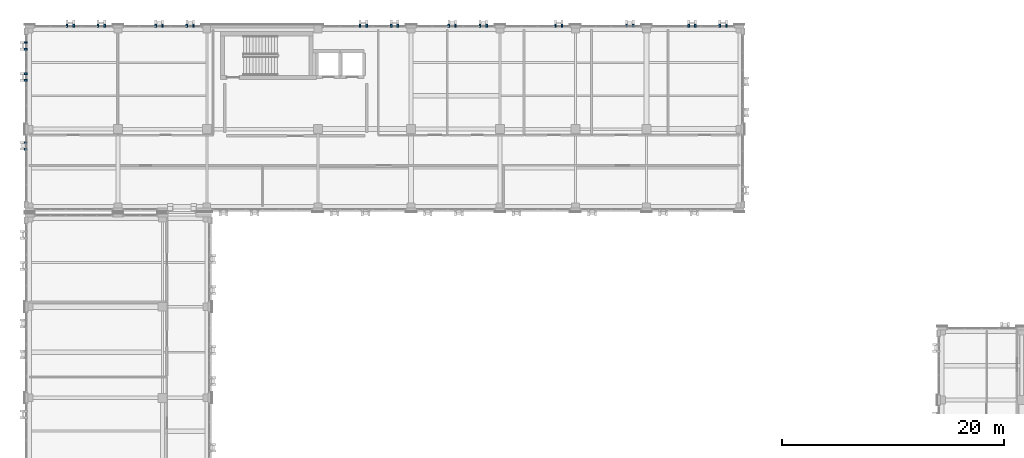
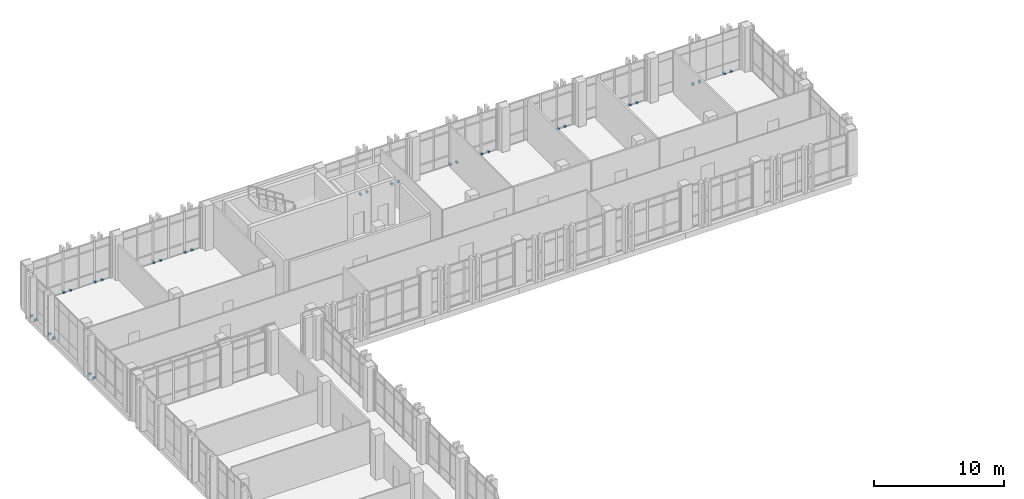
# One storey, part 145 of 165: 30 discrete accessories.
"""IFC4 building model written with IfcOpenShell, lengths in metres."""

from ifc_helpers import new_model, si_unit, direction, frame, origin, origin_2d, place, context, subcontext, project, spatial, rectangle, extrude, material, type_object, element, save


model = new_model("IFC4")

# Units and contexts
model_context = context("Model", 3, precision=1e-05, world=origin(), true_north=direction((0.0, 1.0)))
body_context = subcontext(model_context, "Body", "Model", "MODEL_VIEW")
ifc_project = project(units=[si_unit("LENGTHUNIT", "METRE"), si_unit("AREAUNIT", "SQUARE_METRE"), si_unit("VOLUMEUNIT", "CUBIC_METRE"), si_unit("PLANEANGLEUNIT", "RADIAN"), si_unit("MASSUNIT", "GRAM", prefix="KILO")], contexts=[model_context])

# Site, building, storey
site_placement = place(None, origin())
site = spatial("IfcSite", under=ifc_project, at=site_placement, CompositionType="ELEMENT")
building_placement = place(site_placement, origin())
building = spatial("IfcBuilding", under=site, at=building_placement, Name="Qalavern Law Courts", CompositionType="ELEMENT")
storey_placement = place(building_placement, frame((0.0, 0.0, 14.39990234375)))
storey = spatial("IfcBuildingStorey", under=building, at=storey_placement, Name="L03", CompositionType="ELEMENT", Elevation=14.39990234375)

# Discrete accessories
ifc_material = material(Name="Steel S355", Category="steel")
discrete_accessory_type = type_object("IfcDiscreteAccessoryType", Name="ENV-BRK-FIN", PredefinedType="BRACKET", material=ifc_material)
for number, where, z_axis, x_axis, name in (
    (1, (65.199951171875, 112.91259765625, -0.06982421875), (0.0, 0.0, 1.0), (0.0, 1.0, 0.0), "Stone blade anchor bracket 1035"),
    (2, (64.60009765625, 112.91259765625, -0.06982421875), (0.0, 0.0, 1.0), (0.0, 1.0, 0.0), "Stone blade anchor bracket 1036"),
    (3, (62.39990234375, 112.91259765625, -0.06982421875), (0.0, 0.0, 1.0), (0.0, 1.0, 0.0), "Stone blade anchor bracket 1037"),
    (4, (61.800048828125, 112.91259765625, -0.06982421875), (0.0, 0.0, 1.0), (0.0, 1.0, 0.0), "Stone blade anchor bracket 1038"),
    (5, (56.800048828125, 112.91259765625, -0.06982421875), (0.0, 0.0, 1.0), (0.0, 1.0, 0.0), "Stone blade anchor bracket 1039"),
    (6, (56.199951171875, 112.91259765625, -0.06982421875), (0.0, 0.0, 1.0), (0.0, 1.0, 0.0), "Stone blade anchor bracket 1040"),
    (7, (50.39990234375, 112.91259765625, -0.06982421875), (0.0, 0.0, 1.0), (0.0, 1.0, 0.0), "Stone blade anchor bracket 1041"),
    (8, (49.800048828125, 112.91259765625, -0.06982421875), (0.0, 0.0, 1.0), (0.0, 1.0, 0.0), "Stone blade anchor bracket 1042"),
    (9, (43.60009765625, 112.91259765625, -0.06982421875), (0.0, 0.0, 1.0), (0.0, 1.0, 0.0), "Stone blade anchor bracket 1043"),
    (10, (43.0, 112.91259765625, -0.06982421875), (0.0, 0.0, 1.0), (0.0, 1.0, 0.0), "Stone blade anchor bracket 1044"),
    (11, (40.800048828125, 112.91259765625, -0.06982421875), (0.0, 0.0, 1.0), (0.0, 1.0, 0.0), "Stone blade anchor bracket 1045"),
    (12, (40.199951171875, 112.91259765625, -0.06982421875), (0.0, 0.0, 1.0), (0.0, 1.0, 0.0), "Stone blade anchor bracket 1046"),
    (13, (35.60009765625, 112.91259765625, -0.06982421875), (0.0, 0.0, 1.0), (0.0, 1.0, 0.0), "Stone blade anchor bracket 1047"),
    (14, (35.0, 112.91259765625, -0.06982421875), (0.0, 0.0, 1.0), (0.0, 1.0, 0.0), "Stone blade anchor bracket 1048"),
    (15, (32.800048828125, 112.91259765625, -0.06982421875), (0.0, 0.0, 1.0), (0.0, 1.0, 0.0), "Stone blade anchor bracket 1049"),
    (16, (32.199951171875, 112.91259765625, -0.06982421875), (0.0, 0.0, 1.0), (0.0, 1.0, 0.0), "Stone blade anchor bracket 1050"),
    (17, (17.199951171875, 112.91259765625, -0.06982421875), (0.0, 0.0, 1.0), (0.0, 1.0, 0.0), "Stone blade anchor bracket 1051"),
    (18, (16.60009765625, 112.91259765625, -0.06982421875), (0.0, 0.0, 1.0), (0.0, 1.0, 0.0), "Stone blade anchor bracket 1052"),
    (19, (14.39990234375, 112.91259765625, -0.06982421875), (0.0, 0.0, 1.0), (0.0, 1.0, 0.0), "Stone blade anchor bracket 1053"),
    (20, (13.800048828125, 112.91259765625, -0.06982421875), (0.0, 0.0, 1.0), (0.0, 1.0, 0.0), "Stone blade anchor bracket 1054"),
    (21, (9.199951171875, 112.91259765625, -0.06982421875), (0.0, 0.0, 1.0), (0.0, 1.0, 0.0), "Stone blade anchor bracket 1055"),
    (22, (8.60009765625, 112.91259765625, -0.06982421875), (0.0, 0.0, 1.0), (0.0, 1.0, 0.0), "Stone blade anchor bracket 1056"),
    (23, (6.39990234375, 112.91259765625, -0.06982421875), (0.0, 0.0, 1.0), (0.0, 1.0, 0.0), "Stone blade anchor bracket 1057"),
    (24, (5.800048828125, 112.91259765625, -0.06982421875), (0.0, 0.0, 1.0), (0.0, 1.0, 0.0), "Stone blade anchor bracket 1058"),
    (25, (2.08740234375, 111.39990234375, -0.06982421875), (0.0, 0.0, 1.0), (-1.0, 0.0, 0.0), "Stone blade anchor bracket 1059"),
    (26, (2.08740234375, 110.800048828125, -0.06982421875), (0.0, 0.0, 1.0), (-1.0, 0.0, 0.0), "Stone blade anchor bracket 1060"),
    (27, (2.08740234375, 108.60009765625, -0.06982421875), (0.0, 0.0, 1.0), (-1.0, 0.0, 0.0), "Stone blade anchor bracket 1061"),
    (28, (2.08740234375, 108.0, -0.06982421875), (0.0, 0.0, 1.0), (-1.0, 0.0, 0.0), "Stone blade anchor bracket 1062"),
    (29, (2.08740234375, 102.39990234375, -0.06982421875), (0.0, 0.0, 1.0), (-1.0, 0.0, 0.0), "Stone blade anchor bracket 1063"),
    (30, (2.08740234375, 101.800048828125, -0.06982421875), (0.0, 0.0, 1.0), (-1.0, 0.0, 0.0), "Stone blade anchor bracket 1064"),
):
    element("IfcDiscreteAccessory", number, at=place(storey_placement, frame(where, z_axis=z_axis, x_axis=x_axis)), inside=storey, type_object=discrete_accessory_type, Name=name, PredefinedType="BRACKET", context=body_context, shape_type="SweptSolid", body=[
        extrude(rectangle(XDim=0.239990234375, YDim=0.159912109375, at=origin_2d()), origin(), (0.0, 0.0, 1.0), 0.179931640625),
    ])

save(model, "model.ifc")
